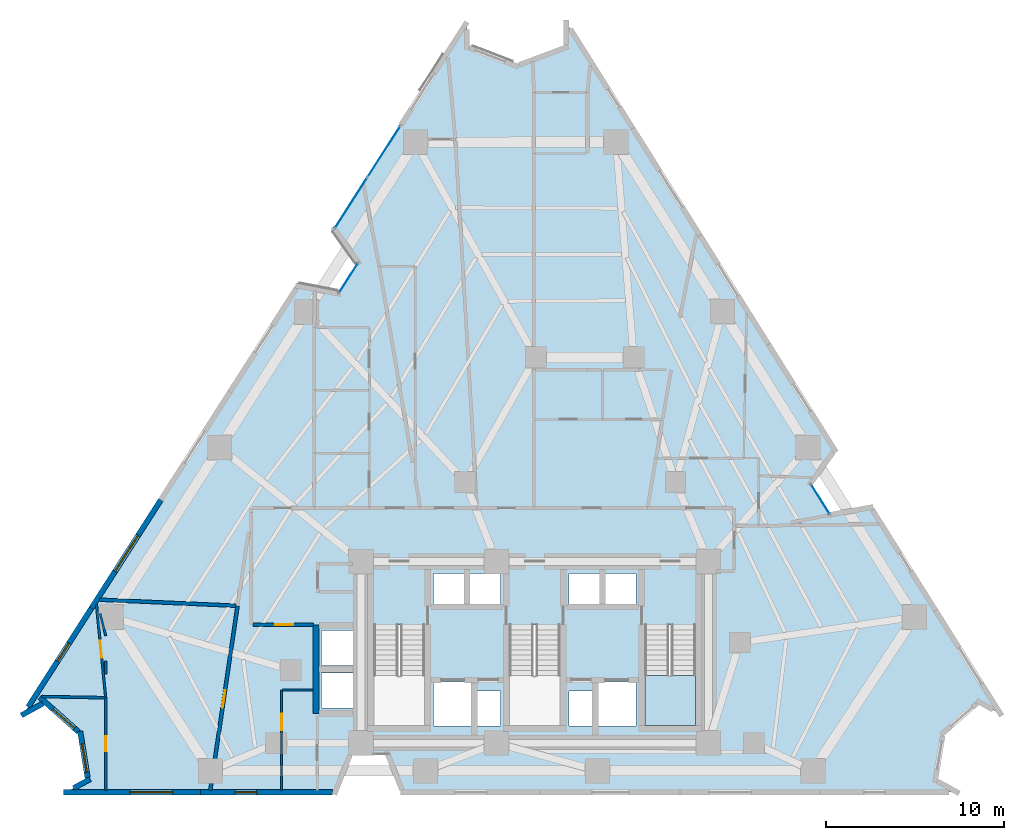
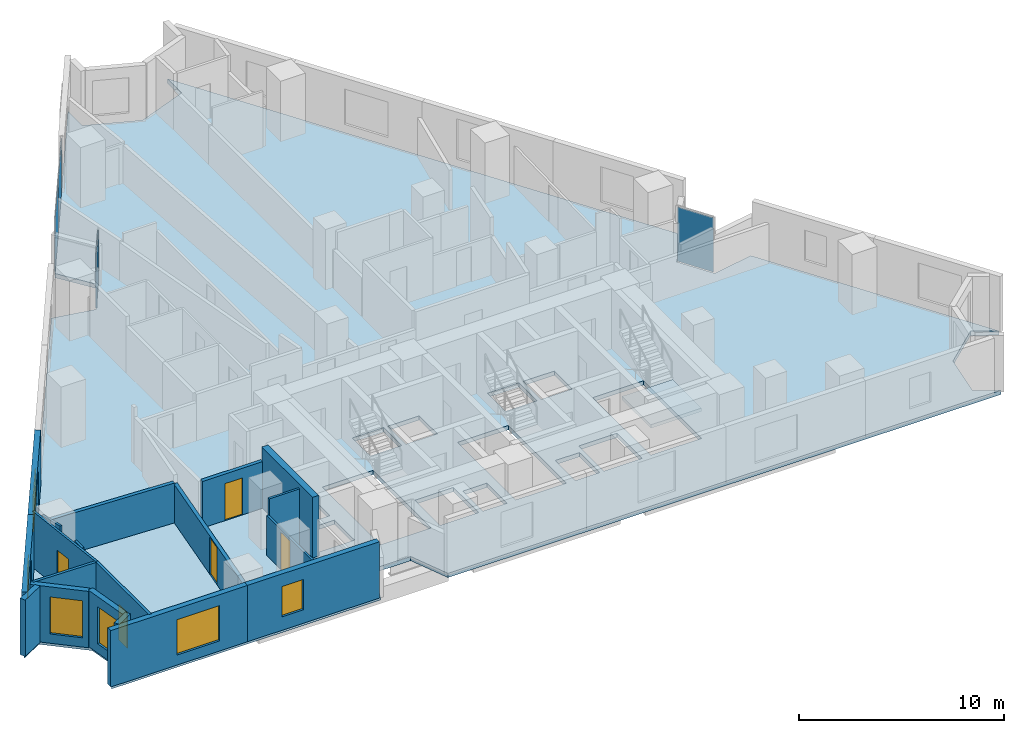
# One storey, part 6 of 12: 19 walls, 6 windows, 5 doors, 4 plates, 2 slabs, 11 openings, 4 elements without a shape of their own.
"""IFC4 building model written with IfcOpenShell, lengths in metres."""

from ifc_helpers import new_model, si_unit, direction, frame, frame_2d, origin, origin_2d, place, context, subcontext, project, spatial, polyline, rectangle, outline, extrude, material, layer, layer_set, type_object, element, fill, aggregate, save


model = new_model("IFC4")

# Units and contexts
model_context = context("Model", 3, precision=1e-05, world=origin(), true_north=direction((0.0, 1.0)))
body_context = subcontext(model_context, "Body", "Model", "MODEL_VIEW")
ifc_project = project(units=[si_unit("LENGTHUNIT", "METRE"), si_unit("AREAUNIT", "SQUARE_METRE"), si_unit("VOLUMEUNIT", "CUBIC_METRE"), si_unit("PLANEANGLEUNIT", "RADIAN"), si_unit("MASSUNIT", "GRAM", prefix="KILO")], contexts=[model_context])

# Site, building, storey
site_placement = place(None, origin())
site = spatial("IfcSite", under=ifc_project, at=site_placement, CompositionType="ELEMENT")
building_placement = place(site_placement, origin())
building = spatial("IfcBuilding", under=site, at=building_placement, Name="Almagre Mirador Tower", CompositionType="ELEMENT")
storey_placement = place(building_placement, frame((0.0, 0.0, 64.199951171875)))
storey = spatial("IfcBuildingStorey", under=building, at=storey_placement, Name="L15", CompositionType="ELEMENT", Elevation=64.199951171875)

# Curtain wall, plate
ifc_material_1 = material(Name="Black anodized aluminium", Category="aluminium")
ifc_layer_1 = layer(ifc_material_1, 0.169921875)
ifc_layer_set_1 = layer_set([ifc_layer_1], Name="Black anodized aluminium")
curtain_wall_type_1 = type_object("IfcCurtainWallType", Name="CW-CRS-SYS", PredefinedType="NOTDEFINED", material=ifc_layer_set_1)
curtain_wall_1_placement = place(storey_placement, origin())
curtain_wall_1 = element("IfcCurtainWall", 1, at=curtain_wall_1_placement, inside=storey, type_object=curtain_wall_type_1, Name="L15 vertical crease curtain wall 01", PredefinedType="NOTDEFINED")
ifc_material_2 = material(Name="Dark solar-control laminated hurricane glass", Category="glass")
ifc_layer_2 = layer(ifc_material_2, 0.028076171875)
ifc_layer_set_2 = layer_set([ifc_layer_2], Name="Dark solar-control laminated hurricane glass")
plate_type_1 = type_object("IfcPlateType", Name="PLT-GLZ-28", PredefinedType="CURTAIN_PANEL", material=ifc_layer_set_2)
plate_1_placement = place(storey_placement, frame((26.842529296875, 30.655029296875, 0.06005859375), z_axis=(0.0, 0.0, 1.0), x_axis=(0.539257350873, 0.842141027103, 0.0)))
plate_1 = element("IfcPlate", 2, at=plate_1_placement, type_object=plate_type_1, Name="CW-4 panel 1.1", PredefinedType="CURTAIN_PANEL", context=body_context, shape_type="SweptSolid", body=[
    extrude(rectangle(XDim=1.969970703125, YDim=0.028076171875, at=origin_2d()), origin(), (0.0, 0.0, 1.0), 3.22998046875),
])
aggregate(curtain_wall_1, [plate_1])

curtain_wall_2_placement = place(storey_placement, origin())
curtain_wall_2 = element("IfcCurtainWall", 3, at=curtain_wall_2_placement, inside=storey, type_object=curtain_wall_type_1, Name="L15 vertical crease curtain wall 03", PredefinedType="NOTDEFINED")
plate_2_placement = place(storey_placement, frame((53.327880859375, 18.24951171875, 0.06005859375), z_axis=(0.0, 0.0, 1.0), x_axis=(0.53219114791, -0.846624227203, 0.0)))
plate_2 = element("IfcPlate", 4, at=plate_2_placement, type_object=plate_type_1, Name="CW-4 panel 1.1", PredefinedType="CURTAIN_PANEL", context=body_context, shape_type="SweptSolid", body=[
    extrude(rectangle(XDim=1.969482421875, YDim=0.028076171875, at=origin_2d()), origin(), (0.0, 0.0, 1.0), 3.22998046875),
])
aggregate(curtain_wall_2, [plate_2])

# Curtain wall, plates
ifc_material_3 = material(Name="Black anodized aluminium", Category="aluminium")
ifc_layer_3 = layer(ifc_material_3, 0.18994140625)
ifc_layer_set_3 = layer_set([ifc_layer_3], Name="Black anodized aluminium")
curtain_wall_type_2 = type_object("IfcCurtainWallType", Name="CW-RES-L-SYS", PredefinedType="NOTDEFINED", material=ifc_layer_set_3)
curtain_wall_3_placement = place(storey_placement, origin())
curtain_wall_3 = element("IfcCurtainWall", 5, at=curtain_wall_3_placement, inside=storey, type_object=curtain_wall_type_2, Name="L15 curtain wall run 02", PredefinedType="NOTDEFINED")
ifc_material_4 = material(Name="Dark solar-control laminated hurricane glass", Category="glass")
ifc_layer_4 = layer(ifc_material_4, 0.031982421875)
ifc_layer_set_4 = layer_set([ifc_layer_4], Name="Dark solar-control laminated hurricane glass")
plate_type_2 = type_object("IfcPlateType", Name="PLT-GLZ-32", PredefinedType="CURTAIN_PANEL", material=ifc_layer_set_4)
plate_3_placement = place(storey_placement, frame((26.99560546875, 34.879638671875, 0.06005859375), z_axis=(0.0, 0.0, 1.0), x_axis=(0.539543509662, 0.841957719355, 0.0)))
plate_3 = element("IfcPlate", 6, at=plate_3_placement, type_object=plate_type_2, Name="CW-2 panel 1.1", PredefinedType="CURTAIN_PANEL", context=body_context, shape_type="SweptSolid", body=[
    extrude(rectangle(XDim=3.348876953125, YDim=0.031982421875, at=origin_2d()), origin(), (0.0, 0.0, 1.0), 3.22998046875),
])
plate_4_placement = place(storey_placement, frame((28.83740234375, 37.75390625, 0.06005859375), z_axis=(0.0, 0.0, 1.0), x_axis=(0.539543509662, 0.841957719355, 0.0)))
plate_4 = element("IfcPlate", 7, at=plate_4_placement, type_object=plate_type_2, Name="CW-2 panel 2.1", PredefinedType="CURTAIN_PANEL", context=body_context, shape_type="SweptSolid", body=[
    extrude(rectangle(XDim=3.348876953125, YDim=0.031982421875, at=origin_2d()), origin(), (0.0, 0.0, 1.0), 3.22998046875),
])
aggregate(curtain_wall_3, [plate_3, plate_4])

# Slab
ifc_material_5 = material(Name="Concrete C45/55", Category="concrete")
ifc_layer_5 = layer(ifc_material_5, 0.25)
ifc_layer_set_5 = layer_set([ifc_layer_5], Name="Concrete C45/55")
slab_type_1 = type_object("IfcSlabType", Name="SLB-FLR-250", PredefinedType="FLOOR", material=ifc_layer_set_5)
slab_1_placement = place(storey_placement, frame((0.0, 0.0, -0.25)))
element("IfcSlab", 8, at=slab_1_placement, inside=storey, type_object=slab_type_1, Name="L15 structural floor slab", PredefinedType="FLOOR", context=body_context, shape_type="SweptSolid", body=[
    extrude(outline(polyline([(8.60498046875, 6.177978515625), (9.8291015625, 6.847900390625), (11.804931640625, 5.083984375), (12.22412109375, 2.468994140625), (11.0, 1.800048828125), (26.10009765625, 1.800048828125), (26.955078125, 3.949951171875), (29.044921875, 3.949951171875), (29.89990234375, 1.800048828125), (61.0, 1.800048828125), (59.779052734375, 2.47509765625), (60.2099609375, 5.111083984375), (62.212890625, 6.8779296875), (63.43408203125, 6.202880859375), (56.159912109375, 17.783935546875), (53.884033203125, 17.364990234375), (52.77197265625, 19.134033203125), (54.137939453125, 21.001953125), (39.06591796875, 44.9970703125), (39.06005859375, 43.60205078125), (36.26904296875, 42.555908203125), (33.488037109375, 43.626953125), (33.4951171875, 45.02197265625), (26.056884765625, 33.4150390625), (27.406005859375, 31.534912109375), (26.279052734375, 29.77490234375), (24.007080078125, 30.215087890625), (8.60498046875, 6.177978515625)]), holes=[polyline([(43.47509765625, 11.196044921875), (46.324951171875, 11.196044921875), (46.324951171875, 5.550048828125), (43.47509765625, 5.550048828125), (43.47509765625, 11.196044921875)]), polyline([(40.820068359375, 5.52001953125), (40.820068359375, 7.97998046875), (42.97998046875, 7.97998046875), (42.97998046875, 5.52001953125), (40.820068359375, 5.52001953125)]), polyline([(41.219970703125, 12.320068359375), (41.219970703125, 14.080078125), (42.97998046875, 14.080078125), (42.97998046875, 12.320068359375), (41.219970703125, 12.320068359375)]), polyline([(39.219970703125, 12.320068359375), (39.219970703125, 14.080078125), (40.97998046875, 14.080078125), (40.97998046875, 12.320068359375), (39.219970703125, 12.320068359375)]), polyline([(39.219970703125, 5.52001953125), (39.219970703125, 7.47998046875), (40.580078125, 7.47998046875), (40.580078125, 5.52001953125), (39.219970703125, 5.52001953125)]), polyline([(35.875, 11.196044921875), (38.72509765625, 11.196044921875), (38.72509765625, 5.550048828125), (35.875, 5.550048828125), (35.875, 11.196044921875)]), polyline([(35.3798828125, 5.52001953125), (34.02001953125, 5.52001953125), (34.02001953125, 7.47998046875), (35.3798828125, 7.47998046875), (35.3798828125, 5.52001953125)]), polyline([(35.3798828125, 12.320068359375), (33.6201171875, 12.320068359375), (33.6201171875, 14.080078125), (35.3798828125, 14.080078125), (35.3798828125, 12.320068359375)]), polyline([(31.6201171875, 5.52001953125), (31.6201171875, 7.97998046875), (33.780029296875, 7.97998046875), (33.780029296875, 5.52001953125), (31.6201171875, 5.52001953125)]), polyline([(31.6201171875, 12.320068359375), (31.6201171875, 14.080078125), (33.3798828125, 14.080078125), (33.3798828125, 12.320068359375), (31.6201171875, 12.320068359375)]), polyline([(28.27490234375, 5.550048828125), (28.27490234375, 11.196044921875), (31.125, 11.196044921875), (31.125, 5.550048828125), (28.27490234375, 5.550048828125)]), polyline([(25.320068359375, 6.52001953125), (25.320068359375, 8.47998046875), (27.3798828125, 8.47998046875), (27.3798828125, 6.52001953125), (25.320068359375, 6.52001953125)]), polyline([(25.320068359375, 8.919921875), (25.320068359375, 10.8798828125), (27.3798828125, 10.8798828125), (27.3798828125, 8.919921875), (25.320068359375, 8.919921875)])]), origin(), (0.0, 0.0, 1.0), 0.25),
])

# Stair, slab
ifc_material_6 = material(Name="Concrete C45/55", Category="concrete")
stair_type = type_object("IfcStairType", Name="STR-DL-3600", PredefinedType="HALF_TURN_STAIR", material=ifc_material_6)
stair_placement = place(storey_placement, origin())
stair = element("IfcStair", 9, at=stair_placement, inside=storey, type_object=stair_type, Name="L15 Protected exit stair ST-3", PredefinedType="HALF_TURN_STAIR")
ifc_material_7 = material(Name="Concrete C45/55", Category="concrete")
ifc_layer_6 = layer(ifc_material_7, 0.199951171875)
ifc_layer_set_6 = layer_set([ifc_layer_6], Name="Concrete C45/55")
slab_type_2 = type_object("IfcSlabType", Name="SLB-LND-200", PredefinedType="LANDING", material=ifc_layer_set_6)
slab_2_placement = place(storey_placement, frame((0.0, 0.0, 1.60009765625)))
slab_2 = element("IfcSlab", 10, at=slab_2_placement, type_object=slab_type_2, Name="ST-3 landing 1", PredefinedType="LANDING", context=body_context, shape_type="SweptSolid", body=[
    extrude(outline(polyline([(43.47509765625, 8.35009765625), (43.47509765625, 5.550048828125), (46.324951171875, 5.550048828125), (46.324951171875, 8.35009765625), (43.47509765625, 8.35009765625)])), origin(), (0.0, 0.0, 1.0), 0.199951171875),
])
aggregate(stair, [slab_2])

# Wall, opening, window
ifc_material_8 = material(Name="Precast concrete C50/60", Category="concrete")
ifc_layer_7 = layer(ifc_material_8, 0.300048828125)
ifc_layer_set_7 = layer_set([ifc_layer_7], Name="Precast concrete C50/60")
wall_type_1 = type_object("IfcWallType", Name="WAL-EXT-300", PredefinedType="SOLIDWALL", material=ifc_layer_set_7)
wall_1_placement = place(storey_placement, frame((25.9599609375, 1.800048828125, 0.0), z_axis=(0.0, 0.0, 1.0), x_axis=(-1.0, 0.0, 0.0)))
wall_1 = element("IfcWall", 11, at=wall_1_placement, inside=storey, type_object=wall_type_1, Name="L15 expressed almagre precast frame wall 26", PredefinedType="SOLIDWALL", context=body_context, shape_type="SweptSolid", body=[
    extrude(rectangle(XDim=7.409912109375, YDim=0.300048828125, at=frame_2d((3.705078125, 0.0))), origin(), (0.0, 0.0, 1.0), 3.35009765625),
])
opening_1_placement = place(wall_1_placement, frame((4.27001953125, 0.0, 0.800048828125)))
opening_1 = element("IfcOpeningElement", 12, at=opening_1_placement, cuts=wall_1, Name="Opening WN-04", PredefinedType="OPENING", context=body_context, shape_type="SweptSolid", body=[
    extrude(rectangle(XDim=1.199951171875, YDim=1.800048828125, at=frame_2d((0.60009765625, 0.89990234375))), frame((0.0, 0.159902, 0.0), z_axis=(0.0, -1.0, 0.0), x_axis=(1.0, 0.0, 0.0)), (0.0, 0.0, 1.0), 0.320049),
])
ifc_material_9 = material(Name="Dark solar-control laminated hurricane glass", Category="glass")
window_type_1 = type_object("IfcWindowType", Name="WIN-1200X1800", PartitioningType="SINGLE_PANEL", PredefinedType="WINDOW", material=ifc_material_9)
window_1_placement = place(opening_1_placement, origin())
window_1 = element("IfcWindow", 13, at=window_1_placement, inside=storey, type_object=window_type_1, Name="L15 recessed hurricane window L15-UB-ST", OverallHeight=1.800048828125, OverallWidth=1.199951171875, PartitioningType="SINGLE_PANEL", PredefinedType="WINDOW", context=body_context, shape_type="SweptSolid", body=[
    extrude(rectangle(XDim=1.199951171875, YDim=1.800048828125, at=frame_2d((0.60009765625, 0.89990234375))), frame((0.0, 0.030029296875, 0.0), z_axis=(0.0, -1.0, 0.0), x_axis=(1.0, 0.0, 0.0)), (0.0, 0.0, 1.0), 0.06005859375),
])
fill(opening_1, window_1)

wall_2_placement = place(storey_placement, frame((18.550048828125, 1.800048828125, 0.0), z_axis=(0.0, 0.0, 1.0), x_axis=(-1.0, 0.0, 0.0)))
wall_2 = element("IfcWall", 14, at=wall_2_placement, inside=storey, type_object=wall_type_1, Name="L15 expressed almagre precast frame wall 27", PredefinedType="SOLIDWALL", context=body_context, shape_type="SweptSolid", body=[
    extrude(rectangle(XDim=7.68994140625, YDim=0.300048828125, at=frame_2d((3.844970703125, 0.0))), origin(), (0.0, 0.0, 1.0), 3.35009765625),
])
opening_2_placement = place(wall_2_placement, frame((1.574951171875, 0.0, 0.60009765625)))
opening_2 = element("IfcOpeningElement", 15, at=opening_2_placement, cuts=wall_2, Name="Opening WN-02", PredefinedType="OPENING", context=body_context, shape_type="SweptSolid", body=[
    extrude(rectangle(XDim=2.39990234375, YDim=2.10009765625, at=frame_2d((1.199951171875, 1.050048828125))), frame((0.0, 0.159902, 0.0), z_axis=(0.0, -1.0, 0.0), x_axis=(1.0, 0.0, 0.0)), (0.0, 0.0, 1.0), 0.320049),
])
ifc_material_10 = material(Name="Dark solar-control laminated hurricane glass", Category="glass")
window_type_2 = type_object("IfcWindowType", Name="WIN-2400X2100", PartitioningType="TRIPLE_PANEL_VERTICAL", PredefinedType="WINDOW", material=ifc_material_10)
window_2_placement = place(opening_2_placement, origin())
window_2 = element("IfcWindow", 16, at=window_2_placement, inside=storey, type_object=window_type_2, Name="L15 recessed hurricane window L15-UA-ST", OverallHeight=2.10009765625, OverallWidth=2.39990234375, PartitioningType="SINGLE_PANEL", PredefinedType="WINDOW", context=body_context, shape_type="SweptSolid", body=[
    extrude(rectangle(XDim=2.39990234375, YDim=2.10009765625, at=frame_2d((1.199951171875, 1.050048828125))), frame((0.0, 0.030029296875, 0.0), z_axis=(0.0, -1.0, 0.0), x_axis=(1.0, 0.0, 0.0)), (0.0, 0.0, 1.0), 0.06005859375),
])
fill(opening_2, window_2)

# Wall
wall_3_placement = place(storey_placement, frame((11.421142578125, 2.0302734375, 0.0), z_axis=(0.0, 0.0, 1.0), x_axis=(0.877488347229, 0.479597957124, 0.0)))
element("IfcWall", 17, at=wall_3_placement, inside=storey, type_object=wall_type_1, Name="L15 expressed almagre precast frame wall 28", PredefinedType="SOLIDWALL", context=body_context, shape_type="SweptSolid", body=[
    extrude(rectangle(XDim=1.0546875, YDim=0.300048828125, at=frame_2d((0.52734375, 0.0))), origin(), (0.0, 0.0, 1.0), 3.35009765625),
])

# Wall, opening, window
wall_4_placement = place(storey_placement, frame((12.20263671875, 2.602294921875, 0.0), z_axis=(0.0, 0.0, 1.0), x_axis=(-0.158173523246, 0.987411330978, 0.0)))
wall_4 = element("IfcWall", 18, at=wall_4_placement, inside=storey, type_object=wall_type_1, Name="L15 expressed almagre precast frame wall 29", PredefinedType="SOLIDWALL", context=body_context, shape_type="SweptSolid", body=[
    extrude(rectangle(XDim=2.6533203125, YDim=0.300048828125, at=frame_2d((1.32666015625, 0.0))), origin(), (0.0, 0.0, 1.0), 3.35009765625),
])
opening_3_placement = place(wall_4_placement, frame((0.324951171875, 0.0, 0.550048828125)))
opening_3 = element("IfcOpeningElement", 19, at=opening_3_placement, cuts=wall_4, Name="Opening WN-06", PredefinedType="OPENING", context=body_context, shape_type="SweptSolid", body=[
    extrude(rectangle(XDim=1.60009765625, YDim=2.199951171875, at=frame_2d((0.800048828125, 1.10009765625))), frame((0.0, 0.159902, 0.0), z_axis=(0.0, -1.0, 0.0), x_axis=(1.0, 0.0, 0.0)), (0.0, 0.0, 1.0), 0.320049),
])
ifc_material_11 = material(Name="Dark solar-control laminated hurricane glass", Category="glass")
window_type_3 = type_object("IfcWindowType", Name="WIN-1600X2200", PartitioningType="DOUBLE_PANEL_VERTICAL", PredefinedType="WINDOW", material=ifc_material_11)
window_3_placement = place(opening_3_placement, origin())
window_3 = element("IfcWindow", 20, at=window_3_placement, inside=storey, type_object=window_type_3, Name="L15 recessed hurricane window L15-UA-BT", OverallHeight=2.199951171875, OverallWidth=1.60009765625, PartitioningType="SINGLE_PANEL", PredefinedType="WINDOW", context=body_context, shape_type="SweptSolid", body=[
    extrude(rectangle(XDim=1.60009765625, YDim=2.199951171875, at=frame_2d((0.800048828125, 1.10009765625))), frame((0.0, 0.030029296875, 0.0), z_axis=(0.0, -1.0, 0.0), x_axis=(1.0, 0.0, 0.0)), (0.0, 0.0, 1.0), 0.06005859375),
])
fill(opening_3, window_3)

wall_5_placement = place(storey_placement, frame((11.693115234375, 5.183837890625, 0.0), z_axis=(0.0, 0.0, 1.0), x_axis=(-0.746022306539, 0.665920954878, 0.0)))
wall_5 = element("IfcWall", 21, at=wall_5_placement, inside=storey, type_object=wall_type_1, Name="L15 expressed almagre precast frame wall 30", PredefinedType="SOLIDWALL", context=body_context, shape_type="SweptSolid", body=[
    extrude(rectangle(XDim=2.916748046875, YDim=0.300048828125, at=frame_2d((1.45849609375, 0.0))), origin(), (0.0, 0.0, 1.0), 3.35009765625),
])
opening_4_placement = place(wall_5_placement, frame((0.31005859375, 0.0, 0.550048828125)))
opening_4 = element("IfcOpeningElement", 22, at=opening_4_placement, cuts=wall_5, Name="Opening WN-06", PredefinedType="OPENING", context=body_context, shape_type="SweptSolid", body=[
    extrude(rectangle(XDim=1.60009765625, YDim=2.199951171875, at=frame_2d((0.800048828125, 1.10009765625))), frame((0.0, 0.159902, 0.0), z_axis=(0.0, -1.0, 0.0), x_axis=(1.0, 0.0, 0.0)), (0.0, 0.0, 1.0), 0.320049),
])
window_4_placement = place(opening_4_placement, origin())
window_4 = element("IfcWindow", 23, at=window_4_placement, inside=storey, type_object=window_type_3, Name="L15 recessed hurricane window L15-UA-BT", OverallHeight=2.199951171875, OverallWidth=1.60009765625, PartitioningType="SINGLE_PANEL", PredefinedType="WINDOW", context=body_context, shape_type="SweptSolid", body=[
    extrude(rectangle(XDim=1.60009765625, YDim=2.199951171875, at=frame_2d((0.800048828125, 1.10009765625))), frame((0.0, 0.030029296875, 0.0), z_axis=(0.0, -1.0, 0.0), x_axis=(1.0, 0.0, 0.0)), (0.0, 0.0, 1.0), 0.06005859375),
])
fill(opening_4, window_4)

# Wall
wall_6_placement = place(storey_placement, frame((9.69580078125, 6.77490234375, 0.0), z_axis=(0.0, 0.0, 1.0), x_axis=(-0.877260839779, -0.480013977912, 0.0)))
element("IfcWall", 24, at=wall_6_placement, inside=storey, type_object=wall_type_1, Name="L15 expressed almagre precast frame wall 31", PredefinedType="SOLIDWALL", context=body_context, shape_type="SweptSolid", body=[
    extrude(rectangle(XDim=1.383544921875, YDim=0.300048828125, at=frame_2d((0.69189453125, 0.0))), origin(), (0.0, 0.0, 1.0), 3.35009765625),
])

# Wall, opening, window
wall_7_placement = place(storey_placement, frame((8.86669921875, 6.586181640625, 0.0), z_axis=(0.0, 0.0, 1.0), x_axis=(0.539484105382, 0.841995783862, 0.0)))
wall_7 = element("IfcWall", 25, at=wall_7_placement, inside=storey, type_object=wall_type_1, Name="L15 expressed almagre precast frame wall 32", PredefinedType="SOLIDWALL", context=body_context, shape_type="SweptSolid", body=[
    extrude(rectangle(XDim=6.582275390625, YDim=0.300048828125, at=frame_2d((3.291015625, 0.0))), origin(), (0.0, 0.0, 1.0), 3.35009765625),
])
opening_5_placement = place(wall_7_placement, frame((3.050048828125, 0.0, 0.800048828125)))
opening_5 = element("IfcOpeningElement", 26, at=opening_5_placement, cuts=wall_7, Name="Opening WN-04", PredefinedType="OPENING", context=body_context, shape_type="SweptSolid", body=[
    extrude(rectangle(XDim=1.199951171875, YDim=1.800048828125, at=frame_2d((0.60009765625, 0.89990234375))), frame((0.0, 0.159902, 0.0), z_axis=(0.0, -1.0, 0.0), x_axis=(1.0, 0.0, 0.0)), (0.0, 0.0, 1.0), 0.320049),
])
window_5_placement = place(opening_5_placement, origin())
window_5 = element("IfcWindow", 27, at=window_5_placement, inside=storey, type_object=window_type_1, Name="L15 recessed hurricane window L15-UA-KT", OverallHeight=1.800048828125, OverallWidth=1.199951171875, PartitioningType="SINGLE_PANEL", PredefinedType="WINDOW", context=body_context, shape_type="SweptSolid", body=[
    extrude(rectangle(XDim=1.199951171875, YDim=1.800048828125, at=frame_2d((0.60009765625, 0.89990234375))), frame((0.0, 0.030029296875, 0.0), z_axis=(0.0, -1.0, 0.0), x_axis=(1.0, 0.0, 0.0)), (0.0, 0.0, 1.0), 0.06005859375),
])
fill(opening_5, window_5)

wall_8_placement = place(storey_placement, frame((12.417724609375, 12.12841796875, 0.0), z_axis=(0.0, 0.0, 1.0), x_axis=(0.5395054239, 0.841982124265, 0.0)))
wall_8 = element("IfcWall", 28, at=wall_8_placement, inside=storey, type_object=wall_type_1, Name="L15 expressed almagre precast frame wall 33", PredefinedType="SOLIDWALL", context=body_context, shape_type="SweptSolid", body=[
    extrude(rectangle(XDim=7.20703125, YDim=0.300048828125, at=frame_2d((3.603515625, 0.0))), origin(), (0.0, 0.0, 1.0), 3.35009765625),
])
opening_6_placement = place(wall_8_placement, frame((2.449951171875, 0.0, 0.60009765625)))
opening_6 = element("IfcOpeningElement", 29, at=opening_6_placement, cuts=wall_8, Name="Opening WN-02", PredefinedType="OPENING", context=body_context, shape_type="SweptSolid", body=[
    extrude(rectangle(XDim=2.39990234375, YDim=2.10009765625, at=frame_2d((1.199951171875, 1.050048828125))), frame((0.0, 0.159902, 0.0), z_axis=(0.0, -1.0, 0.0), x_axis=(1.0, 0.0, 0.0)), (0.0, 0.0, 1.0), 0.320049),
])
window_6_placement = place(opening_6_placement, origin())
window_6 = element("IfcWindow", 30, at=window_6_placement, inside=storey, type_object=window_type_2, Name="L15 recessed hurricane window L15-RST-F", OverallHeight=2.10009765625, OverallWidth=2.39990234375, PartitioningType="SINGLE_PANEL", PredefinedType="WINDOW", context=body_context, shape_type="SweptSolid", body=[
    extrude(rectangle(XDim=2.39990234375, YDim=2.10009765625, at=frame_2d((1.199951171875, 1.050048828125))), frame((0.0, 0.030029296875, 0.0), z_axis=(0.0, -1.0, 0.0), x_axis=(1.0, 0.0, 0.0)), (0.0, 0.0, 1.0), 0.06005859375),
])
fill(opening_6, window_6)

# Wall, opening, door
ifc_material_12 = material(Name="Gypsum acoustic stud partition", Category="other")
ifc_layer_8 = layer(ifc_material_12, 0.125)
ifc_layer_set_8 = layer_set([ifc_layer_8], Name="Gypsum acoustic stud partition")
wall_type_2 = type_object("IfcWallType", Name="WAL-PRT-125-UTL", PredefinedType="PARTITIONING", material=ifc_layer_set_8)
wall_9_placement = place(storey_placement, frame((12.697998046875, 12.346923828125, 0.0), z_axis=(0.0, 0.0, 1.0), x_axis=(0.098994836479, -0.995087947043, 0.0)))
wall_9 = element("IfcWall", 31, at=wall_9_placement, inside=storey, type_object=wall_type_2, Name="L15 interior partition 014", PredefinedType="PARTITIONING", context=body_context, shape_type="SweptSolid", body=[
    extrude(rectangle(XDim=5.272705078125, YDim=0.125, at=frame_2d((2.63623046875, 0.0))), origin(), (0.0, 0.0, 1.0), 3.35009765625),
])
opening_7_placement = place(wall_9_placement, frame((2.06005859375, 0.0, 0.0)))
opening_7 = element("IfcOpeningElement", 32, at=opening_7_placement, cuts=wall_9, Name="Opening UD-01", PredefinedType="OPENING", context=body_context, shape_type="SweptSolid", body=[
    extrude(rectangle(XDim=0.949951171875, YDim=2.199951171875, at=frame_2d((0.47509765625, 1.10009765625))), frame((0.0, 0.0725, 0.0), z_axis=(0.0, -1.0, 0.0), x_axis=(1.0, 0.0, 0.0)), (0.0, 0.0, 1.0), 0.145),
])
ifc_material_13 = material(Name="Solid American walnut timber", Category="wood")
door_type_1 = type_object("IfcDoorType", Name="DOR-UNR-950X2200", OperationType="NOTDEFINED", PredefinedType="DOOR", material=ifc_material_13)
door_1_placement = place(opening_7_placement, origin())
door_1 = element("IfcDoor", 33, at=door_1_placement, inside=storey, type_object=door_type_1, Name="DR-0501 L15 interior door L15-UA-ST to L15-UA-KT", OperationType="SINGLE_SWING_LEFT", OverallHeight=2.199951171875, OverallWidth=0.949951171875, PredefinedType="DOOR", context=body_context, shape_type="SweptSolid", body=[
    extrude(rectangle(XDim=0.949951171875, YDim=2.199951171875, at=frame_2d((0.47509765625, 1.10009765625))), frame((0.0, 0.02490234375, 0.0), z_axis=(0.0, -1.0, 0.0), x_axis=(1.0, 0.0, 0.0)), (0.0, 0.0, 1.0), 0.050048828125),
])
fill(opening_7, door_1)

wall_10_placement = place(storey_placement, frame((23.090087890625, 1.89990234375, 0.0), z_axis=(0.0, 0.0, 1.0), x_axis=(0.0, 1.0, 0.0)))
wall_10 = element("IfcWall", 34, at=wall_10_placement, inside=storey, type_object=wall_type_2, Name="L15 interior partition 019", PredefinedType="PARTITIONING", context=body_context, shape_type="SweptSolid", body=[
    extrude(rectangle(XDim=5.64013671875, YDim=0.125, at=frame_2d((2.820068359375, 0.0))), origin(), (0.0, 0.0, 1.0), 2.3701171875),
])
opening_8_placement = place(wall_10_placement, frame((3.36328125, 0.0, 0.0)))
opening_8 = element("IfcOpeningElement", 35, at=opening_8_placement, cuts=wall_10, Name="Opening UD-01", PredefinedType="OPENING", context=body_context, shape_type="SweptSolid", body=[
    extrude(rectangle(XDim=0.949951171875, YDim=2.199951171875, at=frame_2d((0.47509765625, 1.10009765625))), frame((0.0, 0.0725, 0.0), z_axis=(0.0, -1.0, 0.0), x_axis=(1.0, 0.0, 0.0)), (0.0, 0.0, 1.0), 0.145),
])
door_2_placement = place(opening_8_placement, origin())
door_2 = element("IfcDoor", 36, at=door_2_placement, inside=storey, type_object=door_type_1, Name="DR-0504 L15 interior door L15-UB-ST to L15-UB-KT", OperationType="SINGLE_SWING_RIGHT", OverallHeight=2.199951171875, OverallWidth=0.949951171875, PredefinedType="DOOR", context=body_context, shape_type="SweptSolid", body=[
    extrude(rectangle(XDim=0.949951171875, YDim=2.199951171875, at=frame_2d((0.47509765625, 1.10009765625))), frame((0.0, 0.02490234375, 0.0), z_axis=(0.0, -1.0, 0.0), x_axis=(1.0, 0.0, 0.0)), (0.0, 0.0, 1.0), 0.050048828125),
])
fill(opening_8, door_2)

# Walls
wall_11_placement = place(storey_placement, frame((23.137451171875, 7.5400390625, 0.0), z_axis=(0.0, 0.0, 1.0), x_axis=(1.0, 0.0, 0.0)))
element("IfcWall", 37, at=wall_11_placement, inside=storey, type_object=wall_type_2, Name="L15 interior partition 020", PredefinedType="PARTITIONING", context=body_context, shape_type="SweptSolid", body=[
    extrude(rectangle(XDim=1.7275390625, YDim=0.125, at=frame_2d((0.86376953125, 0.0))), origin(), (0.0, 0.0, 1.0), 3.35009765625),
])
wall_12_placement = place(storey_placement, frame((12.905029296875, 11.824951171875, 0.0), z_axis=(0.0, 0.0, 1.0), x_axis=(0.246170919205, -0.969226433058, 0.0)))
element("IfcWall", 38, at=wall_12_placement, inside=storey, type_object=wall_type_2, Name="L15 interior partition 091", PredefinedType="PARTITIONING", context=body_context, shape_type="SweptSolid", body=[
    extrude(rectangle(XDim=1.279296875, YDim=0.125, at=frame_2d((0.6396484375, 0.0))), origin(), (0.0, 0.0, 1.0), 3.35009765625),
])
wall_13_placement = place(storey_placement, frame((13.219970703125, 9.14892578125, 0.0), z_axis=(0.0, 0.0, 1.0), x_axis=(0.0, -1.0, 0.0)))
element("IfcWall", 39, at=wall_13_placement, inside=storey, type_object=wall_type_2, Name="L15 interior partition 092", PredefinedType="PARTITIONING", context=body_context, shape_type="SweptSolid", body=[
    extrude(rectangle(XDim=0.722900390625, YDim=0.125, at=frame_2d((0.361328125, 0.0))), origin(), (0.0, 0.0, 1.0), 3.35009765625),
])

# Wall, opening, door
ifc_material_14 = material(Name="Gypsum acoustic stud partition", Category="other")
ifc_layer_9 = layer(ifc_material_14, 0.14990234375)
ifc_layer_set_9 = layer_set([ifc_layer_9], Name="Gypsum acoustic stud partition")
wall_type_3 = type_object("IfcWallType", Name="WAL-PRT-150-STD", PredefinedType="PARTITIONING", material=ifc_layer_set_9)
wall_14_placement = place(storey_placement, frame((13.219970703125, 7.110107421875, 0.0), z_axis=(0.0, 0.0, 1.0), x_axis=(0.0, -1.0, 0.0)))
wall_14 = element("IfcWall", 40, at=wall_14_placement, inside=storey, type_object=wall_type_3, Name="L15 interior partition 015", PredefinedType="PARTITIONING", context=body_context, shape_type="SweptSolid", body=[
    extrude(rectangle(XDim=5.210205078125, YDim=0.14990234375, at=frame_2d((2.60498046875, 0.0))), origin(), (0.0, 0.0, 1.0), 3.35009765625),
])
opening_9_placement = place(wall_14_placement, frame((2.17041015625, 0.0, 0.0)))
opening_9 = element("IfcOpeningElement", 41, at=opening_9_placement, cuts=wall_14, Name="Opening UD-04", PredefinedType="OPENING", context=body_context, shape_type="SweptSolid", body=[
    extrude(rectangle(XDim=0.85009765625, YDim=2.10009765625, at=frame_2d((0.425048828125, 1.050048828125))), frame((0.0, 0.084951, 0.0), z_axis=(0.0, -1.0, 0.0), x_axis=(1.0, 0.0, 0.0)), (0.0, 0.0, 1.0), 0.169902),
])
ifc_material_15 = material(Name="Moisture-resistant oak timber", Category="wood")
door_type_2 = type_object("IfcDoorType", Name="DOR-UNR-850X2100", OperationType="NOTDEFINED", PredefinedType="DOOR", material=ifc_material_15)
door_3_placement = place(opening_9_placement, origin())
door_3 = element("IfcDoor", 42, at=door_3_placement, inside=storey, type_object=door_type_2, Name="DR-0502 L15 interior door L15-UA-ST to L15-UA-BT", OperationType="SINGLE_SWING_RIGHT", OverallHeight=2.10009765625, OverallWidth=0.85009765625, PredefinedType="DOOR", context=body_context, shape_type="SweptSolid", body=[
    extrude(rectangle(XDim=0.85009765625, YDim=2.10009765625, at=frame_2d((0.425048828125, 1.050048828125))), frame((0.0, 0.02490234375, 0.0), z_axis=(0.0, -1.0, 0.0), x_axis=(1.0, 0.0, 0.0)), (0.0, 0.0, 1.0), 0.050048828125),
])
fill(opening_9, door_3)

# Wall
wall_15_placement = place(storey_placement, frame((9.64990234375, 7.166015625, 0.0), z_axis=(0.0, 0.0, 1.0), x_axis=(0.999830116918, -0.018431964176, 0.0)))
element("IfcWall", 43, at=wall_15_placement, inside=storey, type_object=wall_type_3, Name="L15 interior partition 018", PredefinedType="PARTITIONING", context=body_context, shape_type="SweptSolid", body=[
    extrude(rectangle(XDim=3.523193359375, YDim=0.14990234375, at=frame_2d((1.76171875, 0.0))), origin(), (0.0, 0.0, 1.0), 3.35009765625),
])

# Wall, opening, door
ifc_material_16 = material(Name="Gypsum acoustic stud partition", Category="other")
ifc_layer_10 = layer(ifc_material_16, 0.199951171875)
ifc_layer_set_10 = layer_set([ifc_layer_10], Name="Gypsum acoustic stud partition")
wall_type_4 = type_object("IfcWallType", Name="WAL-PRT-200-EI60", PredefinedType="PARTITIONING", material=ifc_layer_set_10)
wall_16_placement = place(storey_placement, frame((21.485107421875, 11.199951171875, 0.0), z_axis=(0.0, 0.0, 1.0), x_axis=(1.0, 0.0, 0.0)))
wall_16 = element("IfcWall", 44, at=wall_16_placement, inside=storey, type_object=wall_type_4, Name="L15 interior partition 002", PredefinedType="PARTITIONING", context=body_context, shape_type="SweptSolid", body=[
    extrude(rectangle(XDim=3.384033203125, YDim=0.199951171875, at=frame_2d((1.69189453125, 0.0))), origin(), (0.0, 0.0, 1.0), 2.77099609375),
])
opening_10_placement = place(wall_16_placement, frame((1.249755859375, 0.0, 0.0)))
opening_10 = element("IfcOpeningElement", 45, at=opening_10_placement, cuts=wall_16, Name="Opening ID-01", PredefinedType="OPENING", context=body_context, shape_type="SweptSolid", body=[
    extrude(rectangle(XDim=1.0, YDim=2.199951171875, at=frame_2d((0.5, 1.10009765625))), frame((0.0, 0.110098, 0.0), z_axis=(0.0, -1.0, 0.0), x_axis=(1.0, 0.0, 0.0)), (0.0, 0.0, 1.0), 0.219951),
])
ifc_material_17 = material(Name="Fire-rated walnut timber", Category="wood")
door_type_3 = type_object("IfcDoorType", Name="DOR-FD60-1000X2200", OperationType="NOTDEFINED", PredefinedType="DOOR", material=ifc_material_17)
door_4_placement = place(opening_10_placement, origin())
door_4 = element("IfcDoor", 46, at=door_4_placement, inside=storey, type_object=door_type_3, Name="DR-0503 L15 interior door L15-RCOR to L15-UB-ST", OperationType="SINGLE_SWING_LEFT", OverallHeight=2.199951171875, OverallWidth=1.0, PredefinedType="DOOR", context=body_context, shape_type="SweptSolid", body=[
    extrude(rectangle(XDim=1.0, YDim=2.199951171875, at=frame_2d((0.5, 1.10009765625))), frame((0.0, 0.02490234375, 0.0), z_axis=(0.0, -1.0, 0.0), x_axis=(1.0, 0.0, 0.0)), (0.0, 0.0, 1.0), 0.050048828125),
])
fill(opening_10, door_4)

wall_17_placement = place(storey_placement, frame((19.090087890625, 1.89794921875, 0.0), z_axis=(0.0, 0.0, 1.0), x_axis=(0.146073061153, 0.989273804771, 0.0)))
wall_17 = element("IfcWall", 47, at=wall_17_placement, inside=storey, type_object=wall_type_4, Name="L15 interior partition 016", PredefinedType="PARTITIONING", context=body_context, shape_type="SweptSolid", body=[
    extrude(rectangle(XDim=10.474365234375, YDim=0.199951171875, at=frame_2d((5.2373046875, 0.0))), origin(), (0.0, 0.0, 1.0), 2.279052734375),
])
opening_11_placement = place(wall_17_placement, frame((4.6875, 0.0, 0.0)))
opening_11 = element("IfcOpeningElement", 48, at=opening_11_placement, cuts=wall_17, Name="Opening ID-01", PredefinedType="OPENING", context=body_context, shape_type="SweptSolid", body=[
    extrude(rectangle(XDim=1.0, YDim=2.199951171875, at=frame_2d((0.5, 1.10009765625))), frame((0.0, 0.110098, 0.0), z_axis=(0.0, -1.0, 0.0), x_axis=(1.0, 0.0, 0.0)), (0.0, 0.0, 1.0), 0.219951),
])
door_5_placement = place(opening_11_placement, origin())
door_5 = element("IfcDoor", 49, at=door_5_placement, inside=storey, type_object=door_type_3, Name="DR-0520 L15 interior door L15-UA-ST to L15-UB-ST", OperationType="SINGLE_SWING_RIGHT", OverallHeight=2.199951171875, OverallWidth=1.0, PredefinedType="DOOR", context=body_context, shape_type="SweptSolid", body=[
    extrude(rectangle(XDim=1.0, YDim=2.199951171875, at=frame_2d((0.5, 1.10009765625))), frame((0.0, 0.02490234375, 0.0), z_axis=(0.0, -1.0, 0.0), x_axis=(1.0, 0.0, 0.0)), (0.0, 0.0, 1.0), 0.050048828125),
])
fill(opening_11, door_5)

# Walls
wall_18_placement = place(storey_placement, frame((20.53515625, 12.263427734375, 0.0), z_axis=(0.0, 0.0, 1.0), x_axis=(-0.999022029659, 0.044215203896, 0.0)))
element("IfcWall", 50, at=wall_18_placement, inside=storey, type_object=wall_type_4, Name="L15 interior partition 017", PredefinedType="PARTITIONING", context=body_context, shape_type="SweptSolid", body=[
    extrude(rectangle(XDim=7.6806640625, YDim=0.199951171875, at=frame_2d((3.84033203125, 0.0))), origin(), (0.0, 0.0, 1.0), 2.3701171875),
])
ifc_material_18 = material(Name="Concrete C60/75", Category="concrete")
ifc_layer_11 = layer(ifc_material_18, 0.35009765625)
ifc_layer_set_11 = layer_set([ifc_layer_11], Name="Concrete C60/75")
wall_type_5 = type_object("IfcWallType", Name="WAL-SHF-350", PredefinedType="SOLIDWALL", material=ifc_layer_set_11)
wall_19_placement = place(storey_placement, frame((25.02490234375, 6.22509765625, 0.0), z_axis=(0.0, 0.0, 1.0), x_axis=(0.0, 1.0, 0.0)))
element("IfcWall", 51, at=wall_19_placement, inside=storey, type_object=wall_type_5, Name="L15 shaft wall OL-W", PredefinedType="SOLIDWALL", context=body_context, shape_type="SweptSolid", body=[
    extrude(rectangle(XDim=4.949951171875, YDim=0.35009765625, at=frame_2d((2.47509765625, 0.0))), origin(), (0.0, 0.0, 1.0), 3.60009765625),
])

save(model, "model.ifc")
